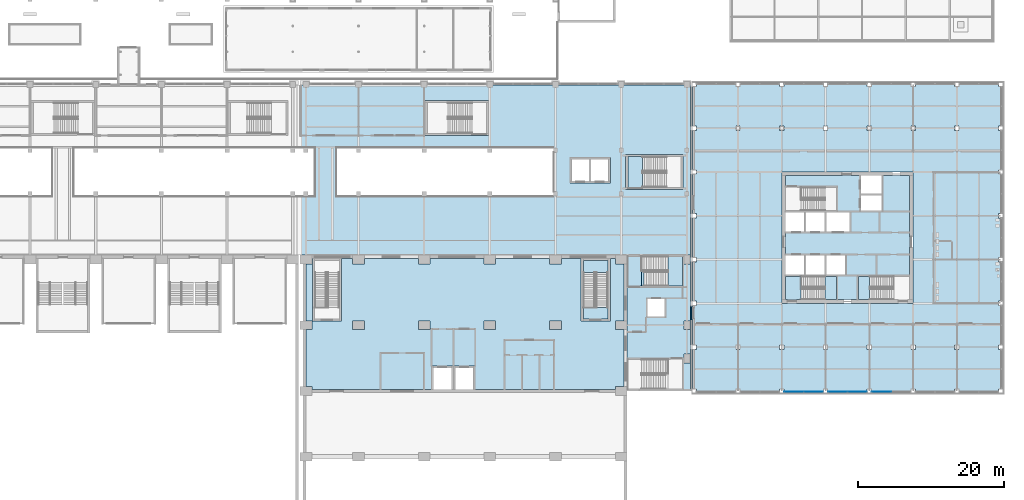
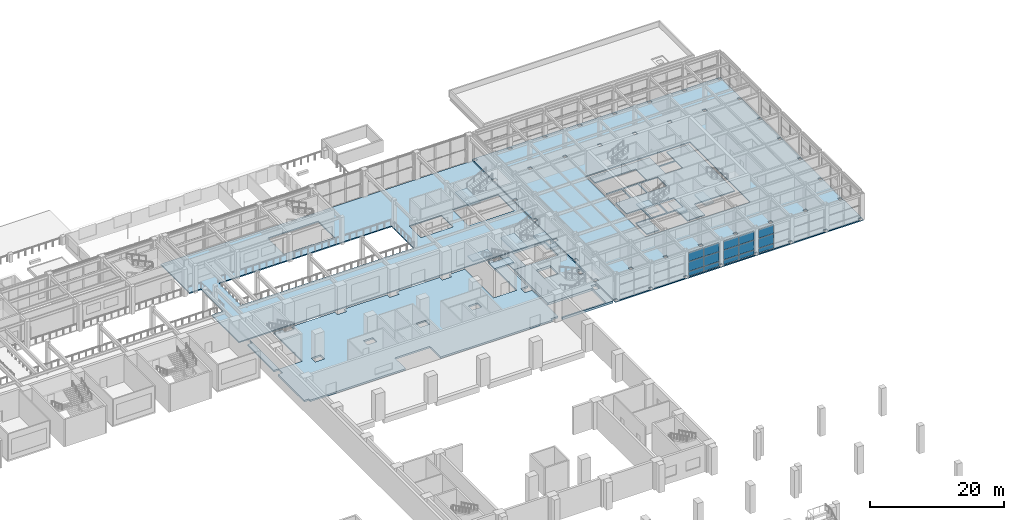
# One storey, part 29 of 67: 16 plates, 15 slabs, 8 elements without a shape of their own.
"""IFC4 building model written with IfcOpenShell, lengths in metres."""

from ifc_helpers import new_model, si_unit, direction, frame, origin, origin_2d, place, context, subcontext, project, spatial, polyline, rectangle, outline, extrude, material, layer, layer_set, type_object, element, aggregate, save


model = new_model("IFC4")

# Units and contexts
model_context = context("Model", 3, precision=1e-05, world=origin(), true_north=direction((0.0, 1.0)))
body_context = subcontext(model_context, "Body", "Model", "MODEL_VIEW")
ifc_project = project(units=[si_unit("LENGTHUNIT", "METRE"), si_unit("AREAUNIT", "SQUARE_METRE"), si_unit("VOLUMEUNIT", "CUBIC_METRE"), si_unit("PLANEANGLEUNIT", "RADIAN"), si_unit("MASSUNIT", "GRAM", prefix="KILO")], contexts=[model_context])

# Site, building, storey
site_placement = place(None, origin())
site = spatial("IfcSite", under=ifc_project, at=site_placement, CompositionType="ELEMENT")
building_placement = place(site_placement, origin())
building = spatial("IfcBuilding", under=site, at=building_placement, Name="Aravalli Gate Trade Fair Centre", CompositionType="ELEMENT")
storey_placement = place(building_placement, frame((0.0, 0.0, 5.0)))
storey = spatial("IfcBuildingStorey", under=building, at=storey_placement, Name="L01", CompositionType="ELEMENT", Elevation=5.0)

# Slab
ifc_material_1 = material(Name="Concrete M40", Category="concrete")
ifc_layer_1 = layer(ifc_material_1, 0.199951171875)
ifc_layer_set_1 = layer_set([ifc_layer_1], Name="Concrete M40")
slab_type_1 = type_object("IfcSlabType", Name="Concourse gallery slab 200", PredefinedType="FLOOR", material=ifc_layer_set_1)
slab_1_placement = place(storey_placement, frame((0.0, 0.0, -0.199951171875)))
element("IfcSlab", 1, at=slab_1_placement, inside=storey, type_object=slab_type_1, Name="Concourse gallery slab L01 3", PredefinedType="FLOOR", context=body_context, shape_type="SweptSolid", body=[
    extrude(outline(polyline([(159.5, 132.919921875), (106.0, 132.919921875), (106.0, 124.300048828125), (108.0, 124.300048828125), (108.0, 117.699951171875), (106.0, 117.699951171875), (106.0, 109.60009765625), (159.5, 109.60009765625), (159.5, 132.919921875)]), holes=[polyline([(140.699951171875, 117.699951171875), (111.0, 117.699951171875), (111.0, 124.300048828125), (140.699951171875, 124.300048828125), (140.699951171875, 117.699951171875)]), polyline([(150.60009765625, 118.60009765625), (150.60009765625, 123.39990234375), (158.5, 123.39990234375), (158.5, 118.60009765625), (150.60009765625, 118.60009765625)]), polyline([(142.949951171875, 119.5), (142.949951171875, 123.0), (148.5, 123.0), (148.5, 119.5), (142.949951171875, 119.5)]), polyline([(123.14990234375, 130.800048828125), (131.85009765625, 130.800048828125), (131.85009765625, 126.0), (123.14990234375, 126.0), (123.14990234375, 130.800048828125)])]), origin(), (0.0, 0.0, 1.0), 0.199951171875),
])

# Stair, slab
ifc_material_2 = material(Name="Concrete M30", Category="concrete")
stair_type_1 = type_object("IfcStairType", Name="Concourse stair, 2000 wide", PredefinedType="HALF_TURN_STAIR", material=ifc_material_2)
stair_1_placement = place(storey_placement, origin())
stair_1 = element("IfcStair", 2, at=stair_1_placement, inside=storey, type_object=stair_type_1, Name="Stair ES L01", PredefinedType="HALF_TURN_STAIR")
ifc_layer_2 = layer(ifc_material_2, 0.199951171875)
ifc_layer_set_2 = layer_set([ifc_layer_2], Name="Concrete M30")
slab_type_2 = type_object("IfcSlabType", Name="Concourse stair landing 200", PredefinedType="LANDING", material=ifc_layer_set_2)
slab_2_placement = place(storey_placement, frame((0.0, 0.0, 3.13330078125)))
slab_2 = element("IfcSlab", 3, at=slab_2_placement, type_object=slab_type_2, Name="STES-L01 landing 2", PredefinedType="LANDING", context=body_context, shape_type="SweptSolid", body=[
    extrude(outline(polyline([(150.89990234375, 118.89990234375), (152.89990234375, 118.89990234375), (152.89990234375, 123.10009765625), (150.89990234375, 123.10009765625), (150.89990234375, 118.89990234375)])), origin(), (0.0, 0.0, 1.0), 0.199951171875),
])
aggregate(stair_1, [slab_2])

# Stair, slabs
ifc_material_3 = material(Name="Concrete M45", Category="concrete")
stair_type_2 = type_object("IfcStairType", Name="Congress exit stair", PredefinedType="HALF_TURN_STAIR", material=ifc_material_3)
stair_2_placement = place(storey_placement, origin())
stair_2 = element("IfcStair", 4, at=stair_2_placement, inside=storey, type_object=stair_type_2, Name="Foyer Stair East L01", PredefinedType="HALF_TURN_STAIR")
ifc_layer_3 = layer(ifc_material_3, 0.199951171875)
ifc_layer_set_3 = layer_set([ifc_layer_3], Name="Concrete M45")
slab_type_3 = type_object("IfcSlabType", Name="Congress exit stair landing RC 200", PredefinedType="LANDING", material=ifc_layer_set_3)
slab_3_placement = place(storey_placement, frame((0.0, 0.0, 2.300048828125)))
slab_3 = element("IfcSlab", 5, at=slab_3_placement, type_object=slab_type_3, Name="GX4 landing 1", PredefinedType="LANDING", context=body_context, shape_type="SweptSolid", body=[
    extrude(outline(polyline([(144.800048828125, 107.25), (148.199951171875, 107.25), (148.199951171875, 108.85009765625), (144.800048828125, 108.85009765625), (144.800048828125, 107.25)])), origin(), (0.0, 0.0, 1.0), 0.199951171875),
])
slab_4_placement = place(storey_placement, frame((0.0, 0.0, 4.800048828125)))
slab_4 = element("IfcSlab", 6, at=slab_4_placement, type_object=slab_type_3, Name="GX4 landing 2", PredefinedType="LANDING", context=body_context, shape_type="SweptSolid", body=[
    extrude(outline(polyline([(144.800048828125, 100.85009765625), (148.199951171875, 100.85009765625), (148.199951171875, 102.449951171875), (144.800048828125, 102.449951171875), (144.800048828125, 100.85009765625)])), origin(), (0.0, 0.0, 1.0), 0.199951171875),
])
aggregate(stair_2, [slab_3, slab_4])

# Slabs
ifc_layer_4 = layer(ifc_material_1, 0.300048828125)
ifc_layer_set_4 = layer_set([ifc_layer_4], Name="Concrete M40")
slab_type_4 = type_object("IfcSlabType", Name="Congress floor slab RC 300", PredefinedType="FLOOR", material=ifc_layer_set_4)
slab_5_placement = place(storey_placement, frame((0.0, 0.0, -0.300048828125)))
element("IfcSlab", 7, at=slab_5_placement, inside=storey, type_object=slab_type_4, Name="Foyer floor L01", PredefinedType="FLOOR", context=body_context, shape_type="SweptSolid", body=[
    extrude(outline(polyline([(149.199951171875, 91.60009765625), (149.199951171875, 91.199951171875), (130.0, 91.199951171875), (130.0, 94.39990234375), (127.0, 94.39990234375), (124.0, 94.39990234375), (124.0, 91.199951171875), (107.60009765625, 91.199951171875), (107.60009765625, 91.60009765625), (106.800048828125, 91.60009765625), (106.800048828125, 99.39990234375), (107.60009765625, 99.39990234375), (107.60009765625, 100.60009765625), (106.800048828125, 100.60009765625), (106.800048828125, 108.39990234375), (107.60009765625, 108.39990234375), (107.60009765625, 109.14990234375), (107.699951171875, 109.14990234375), (107.699951171875, 100.550048828125), (111.699951171875, 100.550048828125), (111.699951171875, 109.14990234375), (113.199951171875, 109.14990234375), (113.199951171875, 108.39990234375), (114.800048828125, 108.39990234375), (114.800048828125, 109.14990234375), (122.199951171875, 109.14990234375), (122.199951171875, 108.39990234375), (123.800048828125, 108.39990234375), (123.800048828125, 109.14990234375), (131.199951171875, 109.14990234375), (131.199951171875, 108.39990234375), (132.800048828125, 108.39990234375), (132.800048828125, 109.14990234375), (140.199951171875, 109.14990234375), (140.199951171875, 108.39990234375), (141.800048828125, 108.39990234375), (141.800048828125, 109.14990234375), (144.5, 109.14990234375), (144.5, 100.550048828125), (148.5, 100.550048828125), (148.5, 109.14990234375), (149.199951171875, 109.14990234375), (149.199951171875, 108.39990234375), (150.39990234375, 108.39990234375), (150.39990234375, 100.60009765625), (149.199951171875, 100.60009765625), (149.199951171875, 99.39990234375), (150.39990234375, 99.39990234375), (150.39990234375, 91.60009765625), (149.199951171875, 91.60009765625)]), holes=[polyline([(123.800048828125, 100.60009765625), (122.199951171875, 100.60009765625), (122.199951171875, 99.39990234375), (123.800048828125, 99.39990234375), (123.800048828125, 100.60009765625)]), polyline([(114.800048828125, 100.60009765625), (113.199951171875, 100.60009765625), (113.199951171875, 99.39990234375), (114.800048828125, 99.39990234375), (114.800048828125, 100.60009765625)]), polyline([(141.800048828125, 100.60009765625), (140.199951171875, 100.60009765625), (140.199951171875, 99.39990234375), (141.800048828125, 99.39990234375), (141.800048828125, 100.60009765625)]), polyline([(132.800048828125, 100.60009765625), (131.199951171875, 100.60009765625), (131.199951171875, 99.39990234375), (132.800048828125, 99.39990234375), (132.800048828125, 100.60009765625)])]), origin(), (0.0, 0.0, 1.0), 0.300048828125),
])
ifc_material_4 = material(Name="Concrete M50", Category="concrete")
ifc_layer_5 = layer(ifc_material_4, 0.409912109375)
ifc_layer_set_5 = layer_set([ifc_layer_5], Name="Concrete M50")
slab_type_5 = type_object("IfcSlabType", Name="Link floor slab 410", PredefinedType="FLOOR", material=ifc_layer_set_5)
slab_6_placement = place(storey_placement, frame((0.0, 0.0, -0.409912109375)))
element("IfcSlab", 8, at=slab_6_placement, inside=storey, type_object=slab_type_5, Name="Link floor slab L01", PredefinedType="FLOOR", context=body_context, shape_type="SweptSolid", body=[
    extrude(outline(polyline([(159.5, 109.60009765625), (159.5, 91.0), (150.800048828125, 91.0), (150.800048828125, 91.25), (158.39990234375, 91.25), (158.39990234375, 95.35009765625), (150.800048828125, 95.35009765625), (150.800048828125, 105.35009765625), (158.39990234375, 105.35009765625), (158.39990234375, 109.449951171875), (150.800048828125, 109.449951171875), (150.800048828125, 109.60009765625), (158.60009765625, 109.60009765625), (158.60009765625, 108.39990234375), (159.39990234375, 108.39990234375), (159.39990234375, 109.60009765625), (159.5, 109.60009765625)]), holes=[polyline([(158.60009765625, 96.050048828125), (158.60009765625, 94.85009765625), (159.39990234375, 94.85009765625), (159.39990234375, 96.050048828125), (158.60009765625, 96.050048828125)]), polyline([(158.60009765625, 100.60009765625), (158.60009765625, 99.39990234375), (159.39990234375, 99.39990234375), (159.39990234375, 100.60009765625), (158.60009765625, 100.60009765625)]), polyline([(153.60009765625, 101.199951171875), (156.0, 101.199951171875), (156.0, 103.60009765625), (153.60009765625, 103.60009765625), (153.60009765625, 101.199951171875)])]), origin(), (0.0, 0.0, 1.0), 0.409912109375),
])
ifc_layer_6 = layer(ifc_material_4, 0.199951171875)
ifc_layer_set_6 = layer_set([ifc_layer_6], Name="Concrete M50")
slab_type_6 = type_object("IfcSlabType", Name="Wing core floor slab 200", PredefinedType="FLOOR", material=ifc_layer_set_6)
slab_7_placement = place(storey_placement, frame((0.0, 0.0, -0.199951171875)))
element("IfcSlab", 9, at=slab_7_placement, inside=storey, type_object=slab_type_6, Name="Core floor slab L01", PredefinedType="FLOOR", context=body_context, shape_type="SweptSolid", body=[
    extrude(outline(polyline([(189.5, 120.5), (189.5, 106.699951171875), (182.5, 106.699951171875), (182.5, 103.5), (179.5, 103.5), (179.5, 106.699951171875), (172.5, 106.699951171875), (172.5, 106.89990234375), (175.10009765625, 106.89990234375), (175.10009765625, 109.60009765625), (172.5, 109.60009765625), (172.5, 112.800048828125), (175.10009765625, 112.800048828125), (175.10009765625, 115.5), (172.5, 115.5), (172.5, 115.699951171875), (179.5, 115.699951171875), (179.5, 118.89990234375), (172.5, 118.89990234375), (172.5, 120.5), (182.800048828125, 120.5), (182.800048828125, 118.0), (185.699951171875, 118.0), (185.699951171875, 120.5), (189.5, 120.5)]), holes=[polyline([(175.300048828125, 109.60009765625), (175.300048828125, 106.89990234375), (177.89990234375, 106.89990234375), (177.89990234375, 109.60009765625), (175.300048828125, 109.60009765625)]), polyline([(177.89990234375, 115.5), (175.300048828125, 115.5), (175.300048828125, 112.800048828125), (177.89990234375, 112.800048828125), (177.89990234375, 115.5)]), polyline([(180.699951171875, 109.60009765625), (178.10009765625, 109.60009765625), (178.10009765625, 106.89990234375), (180.699951171875, 106.89990234375), (180.699951171875, 109.60009765625)]), polyline([(178.10009765625, 115.5), (178.10009765625, 112.800048828125), (181.300048828125, 112.800048828125), (181.300048828125, 115.5), (178.10009765625, 115.5)]), polyline([(185.699951171875, 117.800048828125), (182.800048828125, 117.800048828125), (182.800048828125, 115.699951171875), (185.699951171875, 115.699951171875), (185.699951171875, 117.800048828125)])]), origin(), (0.0, 0.0, 1.0), 0.199951171875),
])

# Stair, slabs
stair_type_3 = type_object("IfcStairType", Name="Wing core stair", PredefinedType="HALF_TURN_STAIR", material=ifc_material_2)
stair_3_placement = place(storey_placement, origin())
stair_3 = element("IfcStair", 10, at=stair_3_placement, inside=storey, type_object=stair_type_3, Name="Stair S2 L01", PredefinedType="HALF_TURN_STAIR")
ifc_layer_7 = layer(ifc_material_2, 0.199951171875)
ifc_layer_set_7 = layer_set([ifc_layer_7], Name="Concrete M30")
slab_type_7 = type_object("IfcSlabType", Name="Wing core stair landing 200", PredefinedType="LANDING", material=ifc_layer_set_7)
slab_8_placement = place(storey_placement, frame((0.0, 0.0, -0.199951171875)))
slab_8 = element("IfcSlab", 11, at=slab_8_placement, type_object=slab_type_7, Name="TST1 landing 1", PredefinedType="LANDING", context=body_context, shape_type="SweptSolid", body=[
    extrude(outline(polyline([(172.5, 103.5), (174.64990234375, 103.5), (174.64990234375, 106.699951171875), (172.5, 106.699951171875), (172.5, 103.5)])), origin(), (0.0, 0.0, 1.0), 0.199951171875),
])
slab_9_placement = place(storey_placement, frame((0.0, 0.0, 1.564697265625)))
slab_9 = element("IfcSlab", 12, at=slab_9_placement, type_object=slab_type_7, Name="TST1 landing 2", PredefinedType="LANDING", context=body_context, shape_type="SweptSolid", body=[
    extrude(outline(polyline([(177.949951171875, 103.5), (179.5, 103.5), (179.5, 106.699951171875), (177.949951171875, 106.699951171875), (177.949951171875, 103.5)])), origin(), (0.0, 0.0, 1.0), 0.199951171875),
])
slab_10_placement = place(storey_placement, frame((0.0, 0.0, 3.329345703125)))
slab_10 = element("IfcSlab", 13, at=slab_10_placement, type_object=slab_type_7, Name="TST1 landing 3", PredefinedType="LANDING", context=body_context, shape_type="SweptSolid", body=[
    extrude(outline(polyline([(172.5, 103.5), (174.64990234375, 103.5), (174.64990234375, 106.699951171875), (172.5, 106.699951171875), (172.5, 103.5)])), origin(), (0.0, 0.0, 1.0), 0.199951171875),
])
aggregate(stair_3, [slab_8, slab_9, slab_10])

# Stair, slab
stair_4_placement = place(storey_placement, origin())
stair_4 = element("IfcStair", 14, at=stair_4_placement, inside=storey, type_object=stair_type_3, Name="Stair S1 L01", PredefinedType="HALF_TURN_STAIR")
slab_11_placement = place(storey_placement, frame((0.0, 0.0, 1.564697265625)))
slab_11 = element("IfcSlab", 15, at=slab_11_placement, type_object=slab_type_7, Name="TST1 landing 2", PredefinedType="LANDING", context=body_context, shape_type="SweptSolid", body=[
    extrude(outline(polyline([(182.5, 103.5), (184.050048828125, 103.5), (184.050048828125, 106.699951171875), (182.5, 106.699951171875), (182.5, 103.5)])), origin(), (0.0, 0.0, 1.0), 0.199951171875),
])
aggregate(stair_4, [slab_11])

# Stair, slabs
stair_5_placement = place(storey_placement, origin())
stair_5 = element("IfcStair", 16, at=stair_5_placement, inside=storey, type_object=stair_type_3, Name="Stair LB L01", PredefinedType="HALF_TURN_STAIR")
slab_12_placement = place(storey_placement, frame((0.0, 0.0, -0.199951171875)))
slab_12 = element("IfcSlab", 17, at=slab_12_placement, type_object=slab_type_7, Name="TST1 landing 1", PredefinedType="LANDING", context=body_context, shape_type="SweptSolid", body=[
    extrude(outline(polyline([(150.800048828125, 105.35009765625), (152.802978515625, 105.35009765625), (152.802978515625, 109.449951171875), (150.800048828125, 109.449951171875), (150.800048828125, 105.35009765625)])), origin(), (0.0, 0.0, 1.0), 0.199951171875),
])
slab_13_placement = place(storey_placement, frame((0.0, 0.0, 1.564697265625)))
slab_13 = element("IfcSlab", 18, at=slab_13_placement, type_object=slab_type_7, Name="TST1 landing 2", PredefinedType="LANDING", context=body_context, shape_type="SweptSolid", body=[
    extrude(outline(polyline([(156.39990234375, 105.35009765625), (158.39990234375, 105.35009765625), (158.39990234375, 109.449951171875), (156.39990234375, 109.449951171875), (156.39990234375, 105.35009765625)])), origin(), (0.0, 0.0, 1.0), 0.199951171875),
])
slab_14_placement = place(storey_placement, frame((0.0, 0.0, 3.182373046875)))
slab_14 = element("IfcSlab", 19, at=slab_14_placement, type_object=slab_type_7, Name="TST1 landing 3", PredefinedType="LANDING", context=body_context, shape_type="SweptSolid", body=[
    extrude(outline(polyline([(150.800048828125, 105.35009765625), (153.1298828125, 105.35009765625), (153.1298828125, 109.449951171875), (150.800048828125, 109.449951171875), (150.800048828125, 105.35009765625)])), origin(), (0.0, 0.0, 1.0), 0.199951171875),
])
aggregate(stair_5, [slab_12, slab_13, slab_14])

# Curtain wall, plates
ifc_material_5 = material(Name="Aluminium and glass", Category="aluminium")
curtain_wall_type = type_object("IfcCurtainWallType", Name="Wing curtain wall", PredefinedType="NOTDEFINED", material=ifc_material_5)
curtain_wall_1_placement = place(storey_placement, origin())
curtain_wall_1 = element("IfcCurtainWall", 20, at=curtain_wall_1_placement, inside=storey, type_object=curtain_wall_type, Name="Curtain wall S2 L01", PredefinedType="NOTDEFINED")
ifc_material_6 = material(Name="Glass", Category="glass")
ifc_layer_8 = layer(ifc_material_6, 0.028076171875)
ifc_layer_set_8 = layer_set([ifc_layer_8], Name="Glass")
plate_type_1 = type_object("IfcPlateType", Name="Wing curtain wall glazing panel 28", PredefinedType="CURTAIN_PANEL", material=ifc_layer_set_8)
plate_1_placement = place(storey_placement, frame((173.6650390625, 90.875, 0.06005859375), z_axis=(0.0, 0.0, 1.0), x_axis=(1.0, 0.0, 0.0)))
plate_1 = element("IfcPlate", 21, at=plate_1_placement, type_object=plate_type_1, Name="TCW1 panel 1.1", PredefinedType="CURTAIN_PANEL", context=body_context, shape_type="SweptSolid", body=[
    extrude(rectangle(XDim=2.610107421875, YDim=0.028076171875, at=origin_2d()), origin(), (0.0, 0.0, 1.0), 0.81005859375),
])
plate_2_placement = place(storey_placement, frame((173.6650390625, 90.875, 0.93017578125), z_axis=(0.0, 0.0, 1.0), x_axis=(1.0, 0.0, 0.0)))
plate_2 = element("IfcPlate", 22, at=plate_2_placement, type_object=plate_type_1, Name="TCW1 panel 1.2", PredefinedType="CURTAIN_PANEL", context=body_context, shape_type="SweptSolid", body=[
    extrude(rectangle(XDim=2.610107421875, YDim=0.028076171875, at=origin_2d()), origin(), (0.0, 0.0, 1.0), 1.739990234375),
])
plate_3_placement = place(storey_placement, frame((173.6650390625, 90.875, 2.72998046875), z_axis=(0.0, 0.0, 1.0), x_axis=(1.0, 0.0, 0.0)))
plate_3 = element("IfcPlate", 23, at=plate_3_placement, type_object=plate_type_1, Name="TCW1 panel 1.3", PredefinedType="CURTAIN_PANEL", context=body_context, shape_type="SweptSolid", body=[
    extrude(rectangle(XDim=2.610107421875, YDim=0.028076171875, at=origin_2d()), origin(), (0.0, 0.0, 1.0), 1.56005859375),
])
plate_4_placement = place(storey_placement, frame((176.3349609375, 90.875, 0.06005859375), z_axis=(0.0, 0.0, 1.0), x_axis=(1.0, 0.0, 0.0)))
plate_4 = element("IfcPlate", 24, at=plate_4_placement, type_object=plate_type_1, Name="TCW1 panel 2.1", PredefinedType="CURTAIN_PANEL", context=body_context, shape_type="SweptSolid", body=[
    extrude(rectangle(XDim=2.610107421875, YDim=0.028076171875, at=origin_2d()), origin(), (0.0, 0.0, 1.0), 0.81005859375),
])
plate_5_placement = place(storey_placement, frame((176.3349609375, 90.875, 0.93017578125), z_axis=(0.0, 0.0, 1.0), x_axis=(1.0, 0.0, 0.0)))
plate_5 = element("IfcPlate", 25, at=plate_5_placement, type_object=plate_type_1, Name="TCW1 panel 2.2", PredefinedType="CURTAIN_PANEL", context=body_context, shape_type="SweptSolid", body=[
    extrude(rectangle(XDim=2.610107421875, YDim=0.028076171875, at=origin_2d()), origin(), (0.0, 0.0, 1.0), 1.739990234375),
])
plate_6_placement = place(storey_placement, frame((176.3349609375, 90.875, 2.72998046875), z_axis=(0.0, 0.0, 1.0), x_axis=(1.0, 0.0, 0.0)))
plate_6 = element("IfcPlate", 26, at=plate_6_placement, type_object=plate_type_1, Name="TCW1 panel 2.3", PredefinedType="CURTAIN_PANEL", context=body_context, shape_type="SweptSolid", body=[
    extrude(rectangle(XDim=2.610107421875, YDim=0.028076171875, at=origin_2d()), origin(), (0.0, 0.0, 1.0), 1.56005859375),
])
aggregate(curtain_wall_1, [plate_1, plate_2, plate_3, plate_4, plate_5, plate_6])

curtain_wall_2_placement = place(storey_placement, origin())
curtain_wall_2 = element("IfcCurtainWall", 27, at=curtain_wall_2_placement, inside=storey, type_object=curtain_wall_type, Name="Curtain wall S3 L01", PredefinedType="NOTDEFINED")
plate_7_placement = place(storey_placement, frame((179.6650390625, 90.875, 0.06005859375), z_axis=(0.0, 0.0, 1.0), x_axis=(1.0, 0.0, 0.0)))
plate_7 = element("IfcPlate", 28, at=plate_7_placement, type_object=plate_type_1, Name="TCW1 panel 1.1", PredefinedType="CURTAIN_PANEL", context=body_context, shape_type="SweptSolid", body=[
    extrude(rectangle(XDim=2.610107421875, YDim=0.028076171875, at=origin_2d()), origin(), (0.0, 0.0, 1.0), 0.81005859375),
])
plate_8_placement = place(storey_placement, frame((179.6650390625, 90.875, 0.93017578125), z_axis=(0.0, 0.0, 1.0), x_axis=(1.0, 0.0, 0.0)))
plate_8 = element("IfcPlate", 29, at=plate_8_placement, type_object=plate_type_1, Name="TCW1 panel 1.2", PredefinedType="CURTAIN_PANEL", context=body_context, shape_type="SweptSolid", body=[
    extrude(rectangle(XDim=2.610107421875, YDim=0.028076171875, at=origin_2d()), origin(), (0.0, 0.0, 1.0), 1.739990234375),
])
plate_9_placement = place(storey_placement, frame((179.6650390625, 90.875, 2.72998046875), z_axis=(0.0, 0.0, 1.0), x_axis=(1.0, 0.0, 0.0)))
plate_9 = element("IfcPlate", 30, at=plate_9_placement, type_object=plate_type_1, Name="TCW1 panel 1.3", PredefinedType="CURTAIN_PANEL", context=body_context, shape_type="SweptSolid", body=[
    extrude(rectangle(XDim=2.610107421875, YDim=0.028076171875, at=origin_2d()), origin(), (0.0, 0.0, 1.0), 1.56005859375),
])
plate_10_placement = place(storey_placement, frame((182.3349609375, 90.875, 0.06005859375), z_axis=(0.0, 0.0, 1.0), x_axis=(1.0, 0.0, 0.0)))
plate_10 = element("IfcPlate", 31, at=plate_10_placement, type_object=plate_type_1, Name="TCW1 panel 2.1", PredefinedType="CURTAIN_PANEL", context=body_context, shape_type="SweptSolid", body=[
    extrude(rectangle(XDim=2.610107421875, YDim=0.028076171875, at=origin_2d()), origin(), (0.0, 0.0, 1.0), 0.81005859375),
])
plate_11_placement = place(storey_placement, frame((182.3349609375, 90.875, 0.93017578125), z_axis=(0.0, 0.0, 1.0), x_axis=(1.0, 0.0, 0.0)))
plate_11 = element("IfcPlate", 32, at=plate_11_placement, type_object=plate_type_1, Name="TCW1 panel 2.2", PredefinedType="CURTAIN_PANEL", context=body_context, shape_type="SweptSolid", body=[
    extrude(rectangle(XDim=2.610107421875, YDim=0.028076171875, at=origin_2d()), origin(), (0.0, 0.0, 1.0), 1.739990234375),
])
plate_12_placement = place(storey_placement, frame((182.3349609375, 90.875, 2.72998046875), z_axis=(0.0, 0.0, 1.0), x_axis=(1.0, 0.0, 0.0)))
plate_12 = element("IfcPlate", 33, at=plate_12_placement, type_object=plate_type_1, Name="TCW1 panel 2.3", PredefinedType="CURTAIN_PANEL", context=body_context, shape_type="SweptSolid", body=[
    extrude(rectangle(XDim=2.610107421875, YDim=0.028076171875, at=origin_2d()), origin(), (0.0, 0.0, 1.0), 1.56005859375),
])
aggregate(curtain_wall_2, [plate_7, plate_8, plate_9, plate_10, plate_11, plate_12])

curtain_wall_3_placement = place(storey_placement, origin())
curtain_wall_3 = element("IfcCurtainWall", 34, at=curtain_wall_3_placement, inside=storey, type_object=curtain_wall_type, Name="Curtain wall S4 L01", PredefinedType="NOTDEFINED")
plate_13_placement = place(storey_placement, frame((185.6650390625, 90.875, 0.06005859375), z_axis=(0.0, 0.0, 1.0), x_axis=(1.0, 0.0, 0.0)))
plate_13 = element("IfcPlate", 35, at=plate_13_placement, type_object=plate_type_1, Name="TCW1 panel 1.1", PredefinedType="CURTAIN_PANEL", context=body_context, shape_type="SweptSolid", body=[
    extrude(rectangle(XDim=2.610107421875, YDim=0.028076171875, at=origin_2d()), origin(), (0.0, 0.0, 1.0), 0.81005859375),
])
plate_14_placement = place(storey_placement, frame((185.6650390625, 90.875, 0.93017578125), z_axis=(0.0, 0.0, 1.0), x_axis=(1.0, 0.0, 0.0)))
plate_14 = element("IfcPlate", 36, at=plate_14_placement, type_object=plate_type_1, Name="TCW1 panel 1.2", PredefinedType="CURTAIN_PANEL", context=body_context, shape_type="SweptSolid", body=[
    extrude(rectangle(XDim=2.610107421875, YDim=0.028076171875, at=origin_2d()), origin(), (0.0, 0.0, 1.0), 1.739990234375),
])
plate_15_placement = place(storey_placement, frame((185.6650390625, 90.875, 2.72998046875), z_axis=(0.0, 0.0, 1.0), x_axis=(1.0, 0.0, 0.0)))
plate_15 = element("IfcPlate", 37, at=plate_15_placement, type_object=plate_type_1, Name="TCW1 panel 1.3", PredefinedType="CURTAIN_PANEL", context=body_context, shape_type="SweptSolid", body=[
    extrude(rectangle(XDim=2.610107421875, YDim=0.028076171875, at=origin_2d()), origin(), (0.0, 0.0, 1.0), 1.56005859375),
])
aggregate(curtain_wall_3, [plate_13, plate_14, plate_15])

# Slab
ifc_layer_9 = layer(ifc_material_4, 0.199951171875)
ifc_layer_set_9 = layer_set([ifc_layer_9], Name="Concrete M50")
slab_type_8 = type_object("IfcSlabType", Name="Wing floor slab 200", PredefinedType="FLOOR", material=ifc_layer_set_9)
slab_15_placement = place(storey_placement, frame((0.0, 0.0, -0.199951171875)))
element("IfcSlab", 38, at=slab_15_placement, inside=storey, type_object=slab_type_8, Name="Wing floor slab L01", PredefinedType="FLOOR", context=body_context, shape_type="SweptSolid", body=[
    extrude(outline(polyline([(159.695068359375, 133.304931640625), (202.304931640625, 133.304931640625), (202.304931640625, 90.695068359375), (159.695068359375, 90.695068359375), (159.695068359375, 133.304931640625)]), holes=[polyline([(178.300048828125, 91.300048828125), (177.699951171875, 91.300048828125), (177.699951171875, 90.699951171875), (178.300048828125, 90.699951171875), (178.300048828125, 91.300048828125)]), polyline([(172.300048828125, 91.300048828125), (171.699951171875, 91.300048828125), (171.699951171875, 90.699951171875), (172.300048828125, 90.699951171875), (172.300048828125, 91.300048828125)]), polyline([(166.300048828125, 91.300048828125), (165.699951171875, 91.300048828125), (165.699951171875, 90.699951171875), (166.300048828125, 90.699951171875), (166.300048828125, 91.300048828125)]), polyline([(160.300048828125, 90.699951171875), (160.300048828125, 91.300048828125), (159.699951171875, 91.300048828125), (159.699951171875, 90.699951171875), (160.300048828125, 90.699951171875)]), polyline([(166.300048828125, 96.699951171875), (166.300048828125, 97.300048828125), (165.699951171875, 97.300048828125), (165.699951171875, 96.699951171875), (166.300048828125, 96.699951171875)]), polyline([(178.300048828125, 97.300048828125), (177.699951171875, 97.300048828125), (177.699951171875, 96.699951171875), (178.300048828125, 96.699951171875), (178.300048828125, 97.300048828125)]), polyline([(172.300048828125, 97.300048828125), (171.699951171875, 97.300048828125), (171.699951171875, 96.699951171875), (172.300048828125, 96.699951171875), (172.300048828125, 97.300048828125)]), polyline([(160.300048828125, 97.300048828125), (159.699951171875, 97.300048828125), (159.699951171875, 96.699951171875), (160.300048828125, 96.699951171875), (160.300048828125, 97.300048828125)]), polyline([(160.300048828125, 102.699951171875), (160.300048828125, 103.300048828125), (159.699951171875, 103.300048828125), (159.699951171875, 102.699951171875), (160.300048828125, 102.699951171875)]), polyline([(160.300048828125, 108.699951171875), (160.300048828125, 109.300048828125), (159.699951171875, 109.300048828125), (159.699951171875, 108.699951171875), (160.300048828125, 108.699951171875)]), polyline([(160.300048828125, 115.300048828125), (159.699951171875, 115.300048828125), (159.699951171875, 114.699951171875), (160.300048828125, 114.699951171875), (160.300048828125, 115.300048828125)]), polyline([(160.300048828125, 121.300048828125), (159.699951171875, 121.300048828125), (159.699951171875, 120.699951171875), (160.300048828125, 120.699951171875), (160.300048828125, 121.300048828125)]), polyline([(160.300048828125, 127.300048828125), (159.699951171875, 127.300048828125), (159.699951171875, 126.699951171875), (160.300048828125, 126.699951171875), (160.300048828125, 127.300048828125)]), polyline([(166.300048828125, 126.699951171875), (166.300048828125, 127.300048828125), (165.699951171875, 127.300048828125), (165.699951171875, 126.699951171875), (166.300048828125, 126.699951171875)]), polyline([(172.300048828125, 126.699951171875), (172.300048828125, 127.300048828125), (171.699951171875, 127.300048828125), (171.699951171875, 126.699951171875), (172.300048828125, 126.699951171875)]), polyline([(178.300048828125, 127.300048828125), (177.699951171875, 127.300048828125), (177.699951171875, 126.699951171875), (178.300048828125, 126.699951171875), (178.300048828125, 127.300048828125)]), polyline([(160.300048828125, 133.300048828125), (159.699951171875, 133.300048828125), (159.699951171875, 132.699951171875), (160.300048828125, 132.699951171875), (160.300048828125, 133.300048828125)]), polyline([(166.300048828125, 133.300048828125), (165.699951171875, 133.300048828125), (165.699951171875, 132.699951171875), (166.300048828125, 132.699951171875), (166.300048828125, 133.300048828125)]), polyline([(172.300048828125, 132.699951171875), (172.300048828125, 133.300048828125), (171.699951171875, 133.300048828125), (171.699951171875, 132.699951171875), (172.300048828125, 132.699951171875)]), polyline([(178.300048828125, 132.699951171875), (178.300048828125, 133.300048828125), (177.699951171875, 133.300048828125), (177.699951171875, 132.699951171875), (178.300048828125, 132.699951171875)]), polyline([(202.300048828125, 91.300048828125), (201.699951171875, 91.300048828125), (201.699951171875, 90.699951171875), (202.300048828125, 90.699951171875), (202.300048828125, 91.300048828125)]), polyline([(196.300048828125, 91.300048828125), (195.699951171875, 91.300048828125), (195.699951171875, 90.699951171875), (196.300048828125, 90.699951171875), (196.300048828125, 91.300048828125)]), polyline([(184.300048828125, 91.300048828125), (183.699951171875, 91.300048828125), (183.699951171875, 90.699951171875), (184.300048828125, 90.699951171875), (184.300048828125, 91.300048828125)]), polyline([(190.300048828125, 90.699951171875), (190.300048828125, 91.300048828125), (189.699951171875, 91.300048828125), (189.699951171875, 90.699951171875), (190.300048828125, 90.699951171875)]), polyline([(196.300048828125, 96.699951171875), (196.300048828125, 97.300048828125), (195.699951171875, 97.300048828125), (195.699951171875, 96.699951171875), (196.300048828125, 96.699951171875)]), polyline([(190.300048828125, 97.300048828125), (189.699951171875, 97.300048828125), (189.699951171875, 96.699951171875), (190.300048828125, 96.699951171875), (190.300048828125, 97.300048828125)]), polyline([(202.300048828125, 97.300048828125), (201.699951171875, 97.300048828125), (201.699951171875, 96.699951171875), (202.300048828125, 96.699951171875), (202.300048828125, 97.300048828125)]), polyline([(184.300048828125, 97.300048828125), (183.699951171875, 97.300048828125), (183.699951171875, 96.699951171875), (184.300048828125, 96.699951171875), (184.300048828125, 97.300048828125)]), polyline([(202.300048828125, 102.699951171875), (202.300048828125, 103.300048828125), (201.699951171875, 103.300048828125), (201.699951171875, 102.699951171875), (202.300048828125, 102.699951171875)]), polyline([(202.300048828125, 108.699951171875), (202.300048828125, 109.300048828125), (201.699951171875, 109.300048828125), (201.699951171875, 108.699951171875), (202.300048828125, 108.699951171875)]), polyline([(202.300048828125, 115.300048828125), (201.699951171875, 115.300048828125), (201.699951171875, 114.699951171875), (202.300048828125, 114.699951171875), (202.300048828125, 115.300048828125)]), polyline([(202.300048828125, 121.300048828125), (201.699951171875, 121.300048828125), (201.699951171875, 120.699951171875), (202.300048828125, 120.699951171875), (202.300048828125, 121.300048828125)]), polyline([(190.300048828125, 127.300048828125), (189.699951171875, 127.300048828125), (189.699951171875, 126.699951171875), (190.300048828125, 126.699951171875), (190.300048828125, 127.300048828125)]), polyline([(196.300048828125, 126.699951171875), (196.300048828125, 127.300048828125), (195.699951171875, 127.300048828125), (195.699951171875, 126.699951171875), (196.300048828125, 126.699951171875)]), polyline([(184.300048828125, 126.699951171875), (184.300048828125, 127.300048828125), (183.699951171875, 127.300048828125), (183.699951171875, 126.699951171875), (184.300048828125, 126.699951171875)]), polyline([(202.300048828125, 127.300048828125), (201.699951171875, 127.300048828125), (201.699951171875, 126.699951171875), (202.300048828125, 126.699951171875), (202.300048828125, 127.300048828125)]), polyline([(196.300048828125, 133.300048828125), (195.699951171875, 133.300048828125), (195.699951171875, 132.699951171875), (196.300048828125, 132.699951171875), (196.300048828125, 133.300048828125)]), polyline([(202.300048828125, 133.300048828125), (201.699951171875, 133.300048828125), (201.699951171875, 132.699951171875), (202.300048828125, 132.699951171875), (202.300048828125, 133.300048828125)]), polyline([(190.300048828125, 132.699951171875), (190.300048828125, 133.300048828125), (189.699951171875, 133.300048828125), (189.699951171875, 132.699951171875), (190.300048828125, 132.699951171875)]), polyline([(184.300048828125, 132.699951171875), (184.300048828125, 133.300048828125), (183.699951171875, 133.300048828125), (183.699951171875, 132.699951171875), (184.300048828125, 132.699951171875)]), polyline([(190.0, 121.0), (172.0, 121.0), (172.0, 103.0), (190.0, 103.0), (190.0, 121.0)])]), origin(), (0.0, 0.0, 1.0), 0.199951171875),
])

# Plate
ifc_material_7 = material(Name="Steel E350", Category="steel")
ifc_layer_10 = layer(ifc_material_7, 0.199951171875)
ifc_layer_set_10 = layer_set([ifc_layer_10], Name="Steel E350")
plate_type_2 = type_object("IfcPlateType", Name="Wing joint cover plate 300", PredefinedType="SHEET", material=ifc_layer_set_10)
plate_16_placement = place(storey_placement, frame((0.0, 0.0, -0.199951171875)))
element("IfcPlate", 39, at=plate_16_placement, inside=storey, type_object=plate_type_2, Name="Joint cover plate T-L01-181", PredefinedType="SHEET", context=body_context, shape_type="SweptSolid", body=[
    extrude(outline(polyline([(159.5, 100.75), (159.695068359375, 100.75), (159.695068359375, 102.550048828125), (159.5, 102.550048828125), (159.5, 100.75)])), origin(), (0.0, 0.0, 1.0), 0.199951171875),
])

save(model, "model.ifc")
